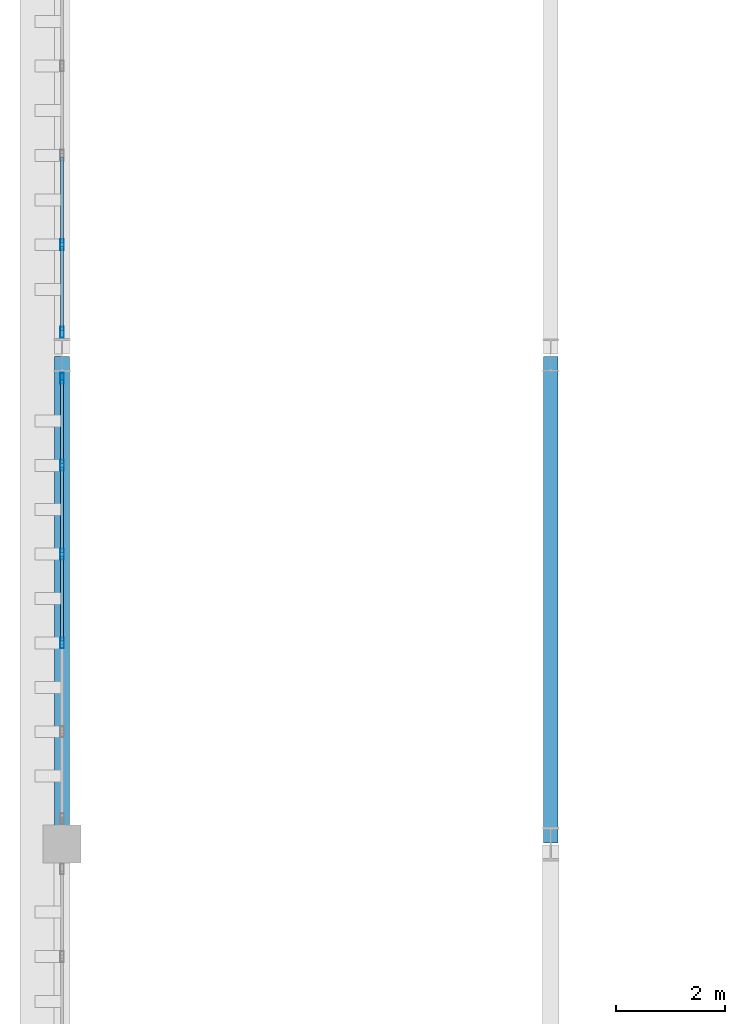
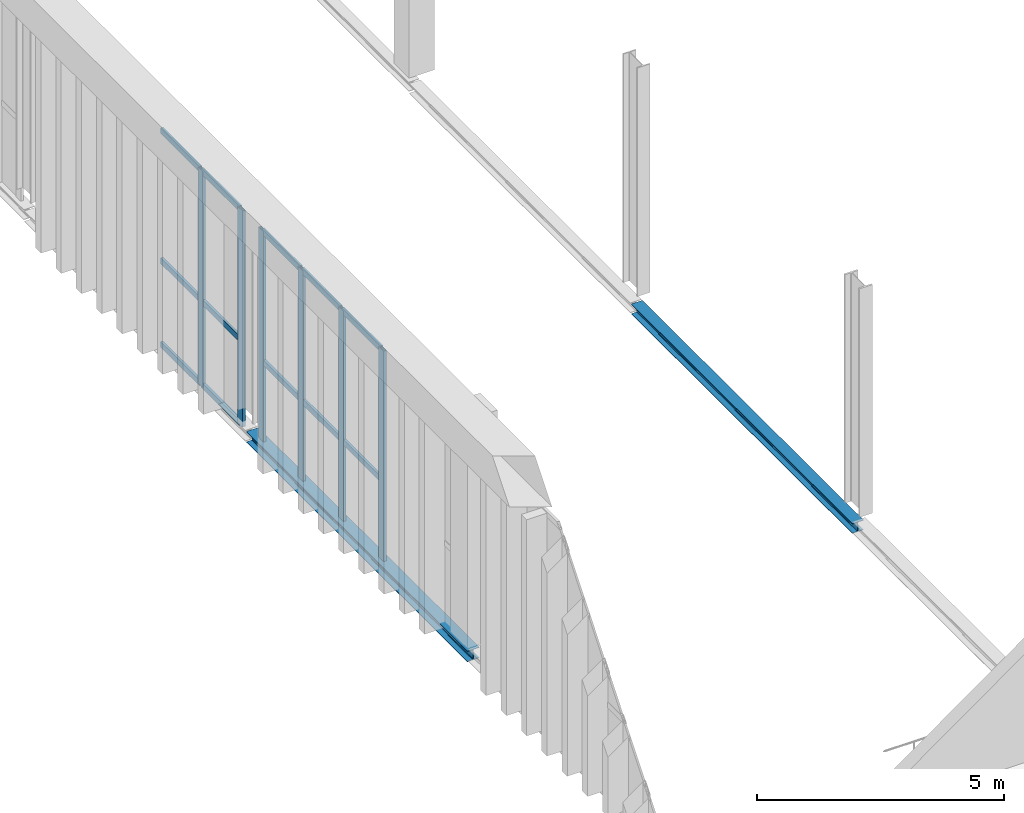
# One storey, part 90 of 237: 21 members, 2 beams, 2 elements without a shape of their own.
"""IFC4 building model written with IfcOpenShell, lengths in metres."""

import ifcopenshell
import ifcopenshell.guid

model = None  # the IFC model being written
_history = None  # IfcOwnerHistory: only IFC2X3 demands one
_inside = {}  # id of a spatial element -> (the spatial element, [elements in it])
_under = {}  # id of a project, library or spatial element -> (it, [spatial elements below it])
_declared = {}  # id of a project -> (the project, [libraries it declares])
_typed = {}  # id of a type object -> (the type object, [elements of that type])
_made_of = {}  # id of a material, layer set ... -> (it, [elements and type objects made of it])


def new_model(schema):
    """Start an empty IFC model of exactly this schema.

    Asked for "IFC4X3", IfcOpenShell would pick the latest addendum, in which some entities
    have other attributes; the version numbers below select the first issue.
    IFC2X3 requires an IfcOwnerHistory on every rooted entity: one is made here for all.
    """
    global model, _history
    if schema == "IFC4X3":
        model = ifcopenshell.file(schema_version=(4, 3, 0, 0))
    else:
        model = ifcopenshell.file(schema=schema)
    _inside.clear()
    _under.clear()
    _declared.clear()
    _typed.clear()
    _made_of.clear()
    _history = None
    if model.schema == "IFC2X3":
        org = make("IfcOrganization", Name="unknown")
        user = make(
            "IfcPersonAndOrganization",
            ThePerson=make("IfcPerson", FamilyName="unknown"),
            TheOrganization=org,
        )
        app = make(
            "IfcApplication",
            ApplicationDeveloper=org,
            Version="unknown",
            ApplicationFullName="unknown",
            ApplicationIdentifier="unknown",
        )
        _history = make(
            "IfcOwnerHistory",
            OwningUser=user,
            OwningApplication=app,
            ChangeAction="ADDED",
            CreationDate=0,
        )
    return model


def make(cls, **values):
    """One entity of the class cls with the attributes given. An attribute that is None is left unset."""
    return model.create_entity(
        cls, **{name: value for name, value in values.items() if value is not None}
    )


def rooted(cls, **values):
    """An entity with a GlobalId (a new one), such as an element, a storey or a relation."""
    return make(cls, GlobalId=ifcopenshell.guid.new(), OwnerHistory=_history, **values)


def si_unit(unit_type, name, prefix=None):
    """IfcSIUnit, for example si_unit("LENGTHUNIT", "METRE", prefix="MILLI")."""
    return make("IfcSIUnit", UnitType=unit_type, Prefix=prefix, Name=name)


def assignment(units):
    """IfcUnitAssignment: the units of a project."""
    return None if units is None else make("IfcUnitAssignment", Units=units)


def point(xyz):
    """IfcCartesianPoint."""
    return None if xyz is None else make("IfcCartesianPoint", Coordinates=xyz)


def direction(xyz):
    """IfcDirection."""
    return None if xyz is None else make("IfcDirection", DirectionRatios=xyz)


def frame(location, z_axis=None, x_axis=None):
    """IfcAxis2Placement3D, a coordinate frame: its origin and axes. An axis left out is left unset."""
    return make(
        "IfcAxis2Placement3D",
        Location=point(location),
        Axis=direction(z_axis),
        RefDirection=direction(x_axis),
    )


def frame_2d(location, x_axis=None):
    """IfcAxis2Placement2D, a coordinate frame in the plane: its origin and x axis."""
    return make(
        "IfcAxis2Placement2D", Location=point(location), RefDirection=direction(x_axis)
    )


def origin():
    """The frame at (0, 0, 0) with its axes left unset."""
    return frame((0.0, 0.0, 0.0))


def origin_2d():
    """The frame at (0, 0) in the plane with its x axis left unset."""
    return frame_2d((0.0, 0.0))


def place(relative_to, where):
    """IfcLocalPlacement: puts the frame where relative to a parent placement (None: the world)."""
    return make(
        "IfcLocalPlacement", PlacementRelTo=relative_to, RelativePlacement=where
    )


def context(
    kind, dimensions, precision=None, world=None, true_north=None, identifier=None
):
    """IfcGeometricRepresentationContext, for example the 3D "Model" context."""
    return make(
        "IfcGeometricRepresentationContext",
        ContextIdentifier=identifier,
        ContextType=kind,
        CoordinateSpaceDimension=dimensions,
        Precision=precision,
        WorldCoordinateSystem=world,
        TrueNorth=true_north,
    )


def subcontext(parent, identifier, kind, view, scale=None):
    """IfcGeometricRepresentationSubContext, for example "Body" below "Model"."""
    return make(
        "IfcGeometricRepresentationSubContext",
        ContextIdentifier=identifier,
        ContextType=kind,
        ParentContext=parent,
        TargetScale=scale,
        TargetView=view,
    )


def project(units=None, contexts=None):
    """IfcProject with its units and contexts."""
    return rooted(
        "IfcProject",
        Name="project",
        RepresentationContexts=contexts,
        UnitsInContext=assignment(units),
    )


def spatial(cls, under=None, at=None, **own):
    """A site, building, storey or space (cls), placed at a placement, below another one or the project."""
    s = rooted(cls, ObjectPlacement=at, **own)
    if under is not None:
        _under.setdefault(under.id(), (under, []))[1].append(s)
    return s


def profile(cls, at=None, kind="AREA", **sizes):
    """A parametric profile (cls). Its sizes go by their IFC names, for example OverallWidth=200.0."""
    return make(cls, ProfileType=kind, Position=at, **sizes)


def hollow_rectangle(**sizes):
    """IfcRectangleHollowProfileDef."""
    return profile("IfcRectangleHollowProfileDef", **sizes)


def i_section(**sizes):
    """IfcIShapeProfileDef."""
    return profile("IfcIShapeProfileDef", **sizes)


def extrude(swept, where, along, depth):
    """IfcExtrudedAreaSolid: the profile swept, set in the frame where, extruded along a direction by depth."""
    return make(
        "IfcExtrudedAreaSolid",
        SweptArea=swept,
        Position=where,
        ExtrudedDirection=direction(along),
        Depth=depth,
    )


def shape(context_of_items, identifier, shape_type, items):
    """IfcShapeRepresentation: the items that make up one representation, for example the "Body"."""
    return make(
        "IfcShapeRepresentation",
        ContextOfItems=context_of_items,
        RepresentationIdentifier=identifier,
        RepresentationType=shape_type,
        Items=items,
    )


def material(Name=None, Category=None):
    """IfcMaterial."""
    return make("IfcMaterial", Name=Name, Category=Category)


def layer(
    of_material, thickness, ventilated=None, Name=None, Category=None, Priority=None
):
    """IfcMaterialLayer: one layer of a wall or slab, of a material (None: an air gap)."""
    return make(
        "IfcMaterialLayer",
        Material=of_material,
        LayerThickness=thickness,
        IsVentilated=ventilated,
        Name=Name,
        Category=Category,
        Priority=Priority,
    )


def layer_set(layers, Name=None):
    """IfcMaterialLayerSet."""
    return make("IfcMaterialLayerSet", MaterialLayers=layers, LayerSetName=Name)


def material_profile(
    of_material, cross_section, Name=None, Category=None, Priority=None
):
    """IfcMaterialProfile: a cross section and its material."""
    return make(
        "IfcMaterialProfile",
        Name=Name,
        Material=of_material,
        Profile=cross_section,
        Priority=Priority,
        Category=Category,
    )


def profile_set(profiles, Name=None, composite=None):
    """IfcMaterialProfileSet."""
    return make(
        "IfcMaterialProfileSet",
        Name=Name,
        MaterialProfiles=profiles,
        CompositeProfile=composite,
    )


def made_of(thing, what):
    """Note that an element or type object is made of a material, layer set ...; save() writes the relation."""
    if what is not None:
        _made_of.setdefault(what.id(), (what, []))[1].append(thing)
    return thing


def type_object(cls, material=None, **own):
    """A type object (cls), such as IfcWallType, which elements share."""
    return made_of(rooted(cls, **own), material)


def element(
    cls,
    number,
    at=None,
    inside=None,
    cuts=None,
    type_object=None,
    material=None,
    context=None,
    identifier="Body",
    shape_type=None,
    held_by="IfcProductDefinitionShape",
    body=None,
    shapes=None,
    **own,
):
    """One element of the class cls, such as IfcWall. Its Tag is "e" and its number.

    at: its placement. inside: the storey or other place that contains it. cuts: it is an
    opening in that element (IfcRelVoidsElement). A single representation is given by context,
    identifier, shape_type and body (its items); several are given by shapes. held_by: the class
    of the entity that holds the representations. save() writes the other relations.
    """
    e = rooted(cls, Tag="e%d" % number, ObjectPlacement=at, **own)
    if body is not None:
        shapes = [shape(context, identifier, shape_type, body)]
    if shapes is not None:
        e.Representation = make(held_by, Representations=shapes)
    if inside is not None:
        _inside.setdefault(inside.id(), (inside, []))[1].append(e)
    if cuts is not None:
        rooted(
            "IfcRelVoidsElement", RelatingBuildingElement=cuts, RelatedOpeningElement=e
        )
    if type_object is not None:
        _typed.setdefault(type_object.id(), (type_object, []))[1].append(e)
    return made_of(e, material)


def aggregate(whole, parts):
    """IfcRelAggregates: a whole, such as a stair, and the parts it consists of."""
    return rooted("IfcRelAggregates", RelatingObject=whole, RelatedObjects=parts)


def save(model, path):
    """Write the relations noted so far, then the file.

    IfcRelAggregates (storeys below a building ...), IfcRelContainedInSpatialStructure (elements
    in a storey), IfcRelDefinesByType, IfcRelAssociatesMaterial and IfcRelDeclares: one each for
    every whole, place, type object, material and project.
    """
    for whole, parts in _under.values():
        aggregate(whole, parts)
    for where, things in _inside.values():
        rooted(
            "IfcRelContainedInSpatialStructure",
            RelatedElements=things,
            RelatingStructure=where,
        )
    for kind, things in _typed.values():
        rooted("IfcRelDefinesByType", RelatedObjects=things, RelatingType=kind)
    for what, things in _made_of.values():
        rooted("IfcRelAssociatesMaterial", RelatedObjects=things, RelatingMaterial=what)
    for by, libraries in _declared.values():
        rooted("IfcRelDeclares", RelatingContext=by, RelatedDefinitions=libraries)
    model.write(path)


model = new_model("IFC4")

# Units and contexts
model_context = context("Model", 3, precision=1e-05, world=origin(), true_north=direction((0.0, 1.0)))
body_context = subcontext(model_context, "Body", "Model", "MODEL_VIEW")
ifc_project = project(units=[si_unit("LENGTHUNIT", "METRE"), si_unit("AREAUNIT", "SQUARE_METRE"), si_unit("VOLUMEUNIT", "CUBIC_METRE"), si_unit("PLANEANGLEUNIT", "RADIAN"), si_unit("MASSUNIT", "GRAM", prefix="KILO")], contexts=[model_context])

# Site, building, storey
site_placement = place(None, origin())
site = spatial("IfcSite", under=ifc_project, at=site_placement, CompositionType="ELEMENT")
building_placement = place(site_placement, origin())
building = spatial("IfcBuilding", under=site, at=building_placement, Name="Barlavento Convention Centre", CompositionType="ELEMENT")
storey_placement = place(building_placement, frame((0.0, 0.0, 12.0)))
storey = spatial("IfcBuildingStorey", under=building, at=storey_placement, Name="L02", CompositionType="ELEMENT", Elevation=12.0)

# Curtain wall, members
ifc_material_1 = material(Name="Powder-coated aluminium and Low-E glass", Category="aluminium")
ifc_layer = layer(ifc_material_1, 0.18505859375)
ifc_layer_set = layer_set([ifc_layer], Name="ARC-CW-EXH-L02")
curtain_wall_type = type_object("IfcCurtainWallType", Name="ARC-CW-EXH-L02", PredefinedType="NOTDEFINED", material=ifc_layer_set)
curtain_wall_1_placement = place(storey_placement, origin())
curtain_wall_1 = element("IfcCurtainWall", 1, at=curtain_wall_1_placement, inside=storey, type_object=curtain_wall_type, Name="L02 unitised curtain wall CW05", PredefinedType="NOTDEFINED")
ifc_material_2 = material(Name="Powder-coated aluminium", Category="aluminium")
ifc_material_profile_1 = material_profile(ifc_material_2, hollow_rectangle(XDim=0.06494140625, YDim=0.199951171875, WallThickness=0.0048828125, at=origin_2d()), Name="AL-MULL 65x200x5")
ifc_profile_set_1 = profile_set([ifc_material_profile_1], Name="Powder-coated aluminium")
member_type_1 = type_object("IfcMemberType", Name="ARC-CWM-65X200", PredefinedType="MULLION", material=ifc_profile_set_1)
member_1_placement = place(storey_placement, frame((0.0, 75.701904296875, -0.5), z_axis=(0.0, 0.0, 1.0), x_axis=(-1.0, 0.0, 0.0)))
member_1 = element("IfcMember", 2, at=member_1_placement, type_object=member_type_1, Name="CW05 mullion 3", PredefinedType="MULLION", context=body_context, shape_type="SweptSolid", body=[
    extrude(hollow_rectangle(XDim=0.06494140625, YDim=0.199951171875, WallThickness=0.0048828125, at=origin_2d()), origin(), (0.0, 0.0, 1.0), 5.35009765625),
])
member_2_placement = place(storey_placement, frame((0.0, 77.337890625, -0.5), z_axis=(0.0, 0.0, 1.0), x_axis=(-1.0, 0.0, 0.0)))
member_2 = element("IfcMember", 3, at=member_2_placement, type_object=member_type_1, Name="CW05 mullion 4", PredefinedType="MULLION", context=body_context, shape_type="SweptSolid", body=[
    extrude(hollow_rectangle(XDim=0.06494140625, YDim=0.199951171875, WallThickness=0.0048828125, at=origin_2d()), origin(), (0.0, 0.0, 1.0), 5.35009765625),
])
member_3_placement = place(storey_placement, frame((0.0, 78.97412109375, -0.5), z_axis=(0.0, 0.0, 1.0), x_axis=(-1.0, 0.0, 0.0)))
member_3 = element("IfcMember", 4, at=member_3_placement, type_object=member_type_1, Name="CW05 mullion 5", PredefinedType="MULLION", context=body_context, shape_type="SweptSolid", body=[
    extrude(hollow_rectangle(XDim=0.06494140625, YDim=0.199951171875, WallThickness=0.0048828125, at=origin_2d()), origin(), (0.0, 0.0, 1.0), 5.35009765625),
])
member_4_placement = place(storey_placement, frame((0.0, 80.577392578125, -0.5), z_axis=(0.0, 0.0, 1.0), x_axis=(-1.0, 0.0, 0.0)))
member_4 = element("IfcMember", 5, at=member_4_placement, type_object=member_type_1, Name="CW05 mullion 6", PredefinedType="MULLION", context=body_context, shape_type="SweptSolid", body=[
    extrude(hollow_rectangle(XDim=0.06494140625, YDim=0.199951171875, WallThickness=0.0048828125, at=origin_2d()), origin(), (0.0, 0.0, 1.0), 5.35009765625),
])

curtain_wall_2_placement = place(storey_placement, origin())
curtain_wall_2 = element("IfcCurtainWall", 6, at=curtain_wall_2_placement, inside=storey, type_object=curtain_wall_type, Name="L02 unitised curtain wall CW05", PredefinedType="NOTDEFINED")
member_5_placement = place(storey_placement, frame((0.0, 81.422607421875, -0.5), z_axis=(0.0, 0.0, 1.0), x_axis=(-1.0, 0.0, 0.0)))
member_5 = element("IfcMember", 7, at=member_5_placement, type_object=member_type_1, Name="CW05 mullion 1", PredefinedType="MULLION", context=body_context, shape_type="SweptSolid", body=[
    extrude(hollow_rectangle(XDim=0.06494140625, YDim=0.199951171875, WallThickness=0.0048828125, at=origin_2d()), origin(), (0.0, 0.0, 1.0), 5.35009765625),
])
member_6_placement = place(storey_placement, frame((0.0, 83.035888671875, -0.5), z_axis=(0.0, 0.0, 1.0), x_axis=(-1.0, 0.0, 0.0)))
member_6 = element("IfcMember", 8, at=member_6_placement, type_object=member_type_1, Name="CW05 mullion 2", PredefinedType="MULLION", context=body_context, shape_type="SweptSolid", body=[
    extrude(hollow_rectangle(XDim=0.06494140625, YDim=0.199951171875, WallThickness=0.0048828125, at=origin_2d()), origin(), (0.0, 0.0, 1.0), 5.35009765625),
])

# Member
ifc_material_profile_2 = material_profile(ifc_material_2, hollow_rectangle(XDim=0.06005859375, YDim=0.139892578125, WallThickness=0.00390625, at=origin_2d()), Name="AL-TRAN 60x140x4")
ifc_profile_set_2 = profile_set([ifc_material_profile_2], Name="Powder-coated aluminium")
member_type_2 = type_object("IfcMemberType", Name="ARC-CWT-60X140", PredefinedType="USERDEFINED", material=ifc_profile_set_2)
member_7_placement = place(storey_placement, frame((0.0, 75.734619140625, -0.469970703125), z_axis=(0.0, 1.0, 0.0), x_axis=(-1.0, 0.0, 0.0)))
member_7 = element("IfcMember", 9, at=member_7_placement, type_object=member_type_2, Name="CW05 transom 3.1", ObjectType="TRANSOM", PredefinedType="USERDEFINED", context=body_context, shape_type="SweptSolid", body=[
    extrude(hollow_rectangle(XDim=0.06005859375, YDim=0.139892578125, WallThickness=0.00390625, at=origin_2d()), origin(), (0.0, 0.0, 1.0), 1.57080078125),
])

member_8_placement = place(storey_placement, frame((0.0, 75.734619140625, 1.60009765625), z_axis=(0.0, 1.0, 0.0), x_axis=(-1.0, 0.0, 0.0)))
member_8 = element("IfcMember", 10, at=member_8_placement, type_object=member_type_2, Name="CW05 transom 3.2", ObjectType="TRANSOM", PredefinedType="USERDEFINED", context=body_context, shape_type="SweptSolid", body=[
    extrude(hollow_rectangle(XDim=0.06005859375, YDim=0.139892578125, WallThickness=0.00390625, at=origin_2d()), origin(), (0.0, 0.0, 1.0), 1.57080078125),
])

member_9_placement = place(storey_placement, frame((0.0, 75.734619140625, 4.820068359375), z_axis=(0.0, 1.0, 0.0), x_axis=(-1.0, 0.0, 0.0)))
member_9 = element("IfcMember", 11, at=member_9_placement, type_object=member_type_2, Name="CW05 transom 3.3", ObjectType="TRANSOM", PredefinedType="USERDEFINED", context=body_context, shape_type="SweptSolid", body=[
    extrude(hollow_rectangle(XDim=0.06005859375, YDim=0.139892578125, WallThickness=0.00390625, at=origin_2d()), origin(), (0.0, 0.0, 1.0), 1.57080078125),
])

member_10_placement = place(storey_placement, frame((0.0, 77.37060546875, -0.469970703125), z_axis=(0.0, 1.0, 0.0), x_axis=(-1.0, 0.0, 0.0)))
member_10 = element("IfcMember", 12, at=member_10_placement, type_object=member_type_2, Name="CW05 transom 4.1", ObjectType="TRANSOM", PredefinedType="USERDEFINED", context=body_context, shape_type="SweptSolid", body=[
    extrude(hollow_rectangle(XDim=0.06005859375, YDim=0.139892578125, WallThickness=0.00390625, at=origin_2d()), origin(), (0.0, 0.0, 1.0), 1.57080078125),
])

member_11_placement = place(storey_placement, frame((0.0, 77.37060546875, 1.60009765625), z_axis=(0.0, 1.0, 0.0), x_axis=(-1.0, 0.0, 0.0)))
member_11 = element("IfcMember", 13, at=member_11_placement, type_object=member_type_2, Name="CW05 transom 4.2", ObjectType="TRANSOM", PredefinedType="USERDEFINED", context=body_context, shape_type="SweptSolid", body=[
    extrude(hollow_rectangle(XDim=0.06005859375, YDim=0.139892578125, WallThickness=0.00390625, at=origin_2d()), origin(), (0.0, 0.0, 1.0), 1.57080078125),
])

member_12_placement = place(storey_placement, frame((0.0, 77.37060546875, 4.820068359375), z_axis=(0.0, 1.0, 0.0), x_axis=(-1.0, 0.0, 0.0)))
member_12 = element("IfcMember", 14, at=member_12_placement, type_object=member_type_2, Name="CW05 transom 4.3", ObjectType="TRANSOM", PredefinedType="USERDEFINED", context=body_context, shape_type="SweptSolid", body=[
    extrude(hollow_rectangle(XDim=0.06005859375, YDim=0.139892578125, WallThickness=0.00390625, at=origin_2d()), origin(), (0.0, 0.0, 1.0), 1.57080078125),
])

member_13_placement = place(storey_placement, frame((0.0, 79.006591796875, -0.469970703125), z_axis=(0.0, 1.0, 0.0), x_axis=(-1.0, 0.0, 0.0)))
member_13 = element("IfcMember", 15, at=member_13_placement, type_object=member_type_2, Name="CW05 transom 5.1", ObjectType="TRANSOM", PredefinedType="USERDEFINED", context=body_context, shape_type="SweptSolid", body=[
    extrude(hollow_rectangle(XDim=0.06005859375, YDim=0.139892578125, WallThickness=0.00390625, at=origin_2d()), origin(), (0.0, 0.0, 1.0), 1.538330078125),
])

member_14_placement = place(storey_placement, frame((0.0, 79.006591796875, 1.60009765625), z_axis=(0.0, 1.0, 0.0), x_axis=(-1.0, 0.0, 0.0)))
member_14 = element("IfcMember", 16, at=member_14_placement, type_object=member_type_2, Name="CW05 transom 5.2", ObjectType="TRANSOM", PredefinedType="USERDEFINED", context=body_context, shape_type="SweptSolid", body=[
    extrude(hollow_rectangle(XDim=0.06005859375, YDim=0.139892578125, WallThickness=0.00390625, at=origin_2d()), origin(), (0.0, 0.0, 1.0), 1.538330078125),
])

member_15_placement = place(storey_placement, frame((0.0, 79.006591796875, 4.820068359375), z_axis=(0.0, 1.0, 0.0), x_axis=(-1.0, 0.0, 0.0)))
member_15 = element("IfcMember", 17, at=member_15_placement, type_object=member_type_2, Name="CW05 transom 5.3", ObjectType="TRANSOM", PredefinedType="USERDEFINED", context=body_context, shape_type="SweptSolid", body=[
    extrude(hollow_rectangle(XDim=0.06005859375, YDim=0.139892578125, WallThickness=0.00390625, at=origin_2d()), origin(), (0.0, 0.0, 1.0), 1.538330078125),
])

aggregate(curtain_wall_1, [member_1, member_2, member_3, member_4, member_7, member_8, member_9, member_10, member_11, member_12, member_13, member_14, member_15])

member_16_placement = place(storey_placement, frame((0.0, 81.455078125, -0.469970703125), z_axis=(0.0, 1.0, 0.0), x_axis=(-1.0, 0.0, 0.0)))
member_16 = element("IfcMember", 18, at=member_16_placement, type_object=member_type_2, Name="CW05 transom 1.1", ObjectType="TRANSOM", PredefinedType="USERDEFINED", context=body_context, shape_type="SweptSolid", body=[
    extrude(hollow_rectangle(XDim=0.06005859375, YDim=0.139892578125, WallThickness=0.00390625, at=origin_2d()), origin(), (0.0, 0.0, 1.0), 1.54833984375),
])

member_17_placement = place(storey_placement, frame((0.0, 81.455078125, 1.60009765625), z_axis=(0.0, 1.0, 0.0), x_axis=(-1.0, 0.0, 0.0)))
member_17 = element("IfcMember", 19, at=member_17_placement, type_object=member_type_2, Name="CW05 transom 1.2", ObjectType="TRANSOM", PredefinedType="USERDEFINED", context=body_context, shape_type="SweptSolid", body=[
    extrude(hollow_rectangle(XDim=0.06005859375, YDim=0.139892578125, WallThickness=0.00390625, at=origin_2d()), origin(), (0.0, 0.0, 1.0), 1.54833984375),
])

member_18_placement = place(storey_placement, frame((0.0, 81.455078125, 4.820068359375), z_axis=(0.0, 1.0, 0.0), x_axis=(-1.0, 0.0, 0.0)))
member_18 = element("IfcMember", 20, at=member_18_placement, type_object=member_type_2, Name="CW05 transom 1.3", ObjectType="TRANSOM", PredefinedType="USERDEFINED", context=body_context, shape_type="SweptSolid", body=[
    extrude(hollow_rectangle(XDim=0.06005859375, YDim=0.139892578125, WallThickness=0.00390625, at=origin_2d()), origin(), (0.0, 0.0, 1.0), 1.54833984375),
])

member_19_placement = place(storey_placement, frame((0.0, 83.068603515625, -0.469970703125), z_axis=(0.0, 1.0, 0.0), x_axis=(-1.0, 0.0, 0.0)))
member_19 = element("IfcMember", 21, at=member_19_placement, type_object=member_type_2, Name="CW05 transom 2.1", ObjectType="TRANSOM", PredefinedType="USERDEFINED", context=body_context, shape_type="SweptSolid", body=[
    extrude(hollow_rectangle(XDim=0.06005859375, YDim=0.139892578125, WallThickness=0.00390625, at=origin_2d()), origin(), (0.0, 0.0, 1.0), 1.580810546875),
])

member_20_placement = place(storey_placement, frame((0.0, 83.068603515625, 1.60009765625), z_axis=(0.0, 1.0, 0.0), x_axis=(-1.0, 0.0, 0.0)))
member_20 = element("IfcMember", 22, at=member_20_placement, type_object=member_type_2, Name="CW05 transom 2.2", ObjectType="TRANSOM", PredefinedType="USERDEFINED", context=body_context, shape_type="SweptSolid", body=[
    extrude(hollow_rectangle(XDim=0.06005859375, YDim=0.139892578125, WallThickness=0.00390625, at=origin_2d()), origin(), (0.0, 0.0, 1.0), 1.580810546875),
])

member_21_placement = place(storey_placement, frame((0.0, 83.068603515625, 4.820068359375), z_axis=(0.0, 1.0, 0.0), x_axis=(-1.0, 0.0, 0.0)))
member_21 = element("IfcMember", 23, at=member_21_placement, type_object=member_type_2, Name="CW05 transom 2.3", ObjectType="TRANSOM", PredefinedType="USERDEFINED", context=body_context, shape_type="SweptSolid", body=[
    extrude(hollow_rectangle(XDim=0.06005859375, YDim=0.139892578125, WallThickness=0.00390625, at=origin_2d()), origin(), (0.0, 0.0, 1.0), 1.580810546875),
])

aggregate(curtain_wall_2, [member_5, member_6, member_16, member_17, member_18, member_19, member_20, member_21])

# Beams
ifc_material_3 = material(Name="Steel S355", Category="steel")
ifc_material_profile_3 = material_profile(ifc_material_3, i_section(OverallWidth=0.260009765625, OverallDepth=0.25, WebThickness=0.007568359375, FlangeThickness=0.012451171875, FilletRadius=0.02392578125, at=origin_2d()), Name="HEA 260")
ifc_profile_set_3 = profile_set([ifc_material_profile_3], Name="Steel S355")
beam_type_1 = type_object("IfcBeamType", Name="STR-BM-SPN-HEA260", PredefinedType="SPANDREL", material=ifc_profile_set_3)
beam_1_placement = place(storey_placement, frame((9.0, 72.02001953125, -0.485107421875), z_axis=(0.0, 1.0, 0.0), x_axis=(-1.0, 0.0, 0.0)))
element("IfcBeam", 24, at=beam_1_placement, inside=storey, type_object=beam_type_1, Name="L02 grid girder SP04", PredefinedType="SPANDREL", context=body_context, shape_type="SweptSolid", body=[
    extrude(i_section(OverallWidth=0.260009765625, OverallDepth=0.25, WebThickness=0.007568359375, FlangeThickness=0.012451171875, FilletRadius=0.02392578125, at=origin_2d()), origin(), (0.0, 0.0, 1.0), 8.9599609375),
])
ifc_material_profile_4 = material_profile(ifc_material_3, i_section(OverallWidth=0.280029296875, OverallDepth=0.27001953125, WebThickness=0.008056640625, FlangeThickness=0.012939453125, FilletRadius=0.02392578125, at=origin_2d()), Name="HEA 280")
ifc_profile_set_4 = profile_set([ifc_material_profile_4], Name="Steel S355")
beam_type_2 = type_object("IfcBeamType", Name="STR-BM-SPN-HEA280", PredefinedType="SPANDREL", material=ifc_profile_set_4)
beam_2_placement = place(storey_placement, frame((0.0, 72.02001953125, -0.4951171875), z_axis=(0.0, 1.0, 0.0), x_axis=(-1.0, 0.0, 0.0)))
element("IfcBeam", 25, at=beam_2_placement, inside=storey, type_object=beam_type_2, Name="L02 grid girder SP03", PredefinedType="SPANDREL", context=body_context, shape_type="SweptSolid", body=[
    extrude(i_section(OverallWidth=0.280029296875, OverallDepth=0.27001953125, WebThickness=0.008056640625, FlangeThickness=0.012939453125, FilletRadius=0.02392578125, at=origin_2d()), origin(), (0.0, 0.0, 1.0), 8.9599609375),
])

save(model, "model.ifc")
